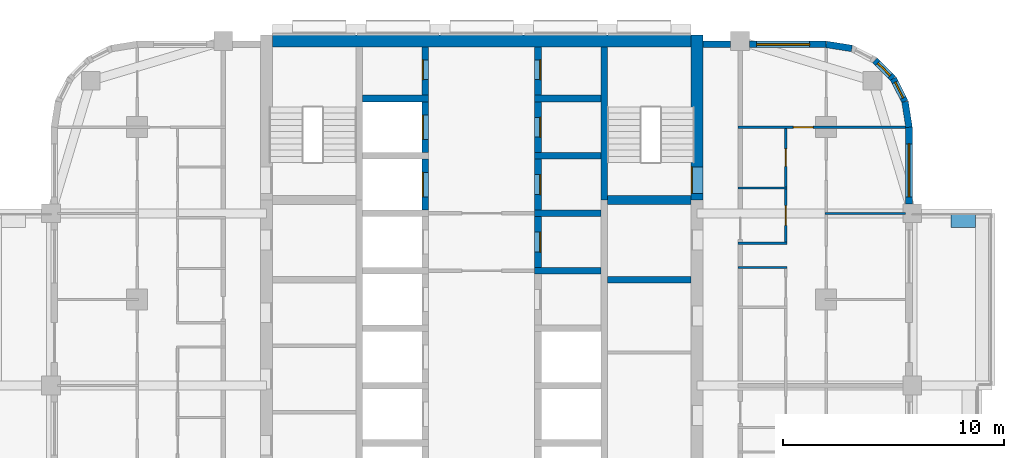
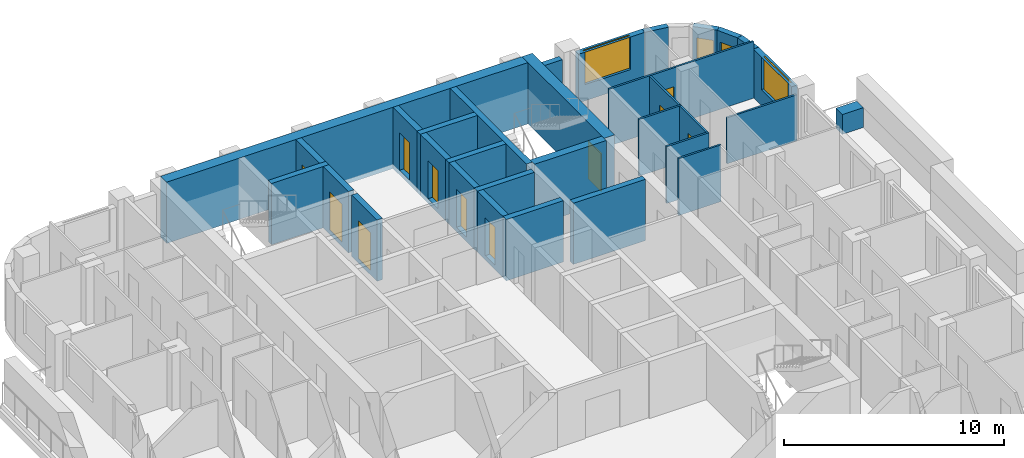
# One storey, part 9 of 14: 31 walls, 11 doors, 4 windows, 15 openings.
"""IFC4 building model written with IfcOpenShell, lengths in metres."""

from ifc_helpers import new_model, si_unit, direction, frame, frame_2d, origin, place, context, subcontext, project, spatial, rectangle, extrude, material, layer, layer_set, type_object, element, fill, save


model = new_model("IFC4")

# Units and contexts
model_context = context("Model", 3, precision=1e-05, world=origin(), true_north=direction((0.0, 1.0)))
body_context = subcontext(model_context, "Body", "Model", "MODEL_VIEW")
ifc_project = project(units=[si_unit("LENGTHUNIT", "METRE"), si_unit("AREAUNIT", "SQUARE_METRE"), si_unit("VOLUMEUNIT", "CUBIC_METRE"), si_unit("PLANEANGLEUNIT", "RADIAN"), si_unit("MASSUNIT", "GRAM", prefix="KILO")], contexts=[model_context])

# Site, building, storey
site_placement = place(None, origin())
site = spatial("IfcSite", under=ifc_project, at=site_placement, CompositionType="ELEMENT")
building_placement = place(site_placement, origin())
building = spatial("IfcBuilding", under=site, at=building_placement, Name="Ludao Terraces", CompositionType="ELEMENT")
storey_placement = place(building_placement, frame((0.0, 0.0, 106.699951171875)))
storey = spatial("IfcBuildingStorey", under=building, at=storey_placement, Name="L29", CompositionType="ELEMENT", Elevation=106.699951171875)

# Wall, opening, door
ifc_material_1 = material(Name="Concrete C60", Category="concrete")
ifc_layer_1 = layer(ifc_material_1, 0.550048828125)
ifc_layer_set_1 = layer_set([ifc_layer_1], Name="Core wall 550 C60")
wall_type_1 = type_object("IfcWallType", Name="Core wall 550 C60", PredefinedType="SOLIDWALL", material=ifc_layer_set_1)
wall_1_placement = place(storey_placement, frame((94.75, 77.300048828125, -0.25), z_axis=(0.0, 0.0, 1.0), x_axis=(0.0, 1.0, 0.0)))
wall_1 = element("IfcWall", 1, at=wall_1_placement, inside=storey, type_object=wall_type_1, Name="Core wall L29 outer-E-S2", PredefinedType="SOLIDWALL", context=body_context, shape_type="SweptSolid", body=[
    extrude(rectangle(XDim=7.474853515625, YDim=0.550048828125, at=frame_2d((3.7373046875, 0.0))), origin(), (0.0, 0.0, 1.0), 3.400146484375),
])
opening_1_placement = place(wall_1_placement, frame((0.300048828125, 0.0, 0.25)))
opening_1 = element("IfcOpeningElement", 2, at=opening_1_placement, cuts=wall_1, Name="Opening R08-089", PredefinedType="OPENING", context=body_context, shape_type="SweptSolid", body=[
    extrude(rectangle(XDim=1.199951171875, YDim=2.10009765625, at=frame_2d((0.60009765625, 1.050048828125))), frame((0.0, 0.28515625, 0.0), z_axis=(0.0, -1.0, 0.0), x_axis=(1.0, 0.0, 0.0)), (0.0, 0.0, 1.0), 0.570068359375),
])
ifc_material_2 = material(Name="Steel Q235", Category="steel")
door_type_1 = type_object("IfcDoorType", Name="INT Stair door 1200", OperationType="DOUBLE_DOOR_SINGLE_SWING", PredefinedType="DOOR", material=ifc_material_2)
door_1_placement = place(opening_1_placement, origin())
door_1 = element("IfcDoor", 3, at=door_1_placement, inside=storey, type_object=door_type_1, Name="DOOR 089", OperationType="DOUBLE_DOOR_SINGLE_SWING", OverallHeight=2.10009765625, OverallWidth=1.199951171875, PredefinedType="DOOR", context=body_context, shape_type="SweptSolid", body=[
    extrude(rectangle(XDim=1.199951171875, YDim=2.10009765625, at=frame_2d((0.60009765625, 1.050048828125))), frame((0.0, 0.26025390625, 0.0), z_axis=(0.0, -1.0, 0.0), x_axis=(1.0, 0.0, 0.0)), (0.0, 0.0, 1.0), 0.050048828125),
])
fill(opening_1, door_1)

# Walls
wall_2_placement = place(storey_placement, frame((75.52490234375, 84.5, -0.25), z_axis=(0.0, 0.0, 1.0), x_axis=(1.0, 0.0, 0.0)))
element("IfcWall", 4, at=wall_2_placement, inside=storey, type_object=wall_type_1, Name="Core wall L29 outer-N", PredefinedType="SOLIDWALL", context=body_context, shape_type="SweptSolid", body=[
    extrude(rectangle(XDim=18.9501953125, YDim=0.550048828125, at=frame_2d((9.47509765625, 0.0))), origin(), (0.0, 0.0, 1.0), 3.400146484375),
])
ifc_material_3 = material(Name="Concrete C40", Category="concrete")
ifc_layer_2 = layer(ifc_material_3, 0.60009765625)
ifc_layer_set_2 = layer_set([ifc_layer_2], Name="ENV Planter trough 600")
wall_type_2 = type_object("IfcWallType", Name="ENV Planter trough 600", PredefinedType="USERDEFINED", material=ifc_layer_set_2)
wall_3_placement = place(storey_placement, frame((107.35009765625, 76.35009765625, 0.0), z_axis=(0.0, 0.0, 1.0), x_axis=(-1.0, 0.0, 0.0)))
element("IfcWall", 5, at=wall_3_placement, inside=storey, type_object=wall_type_2, Name="PL-L29-E3-SB", ObjectType="PLANTER", PredefinedType="USERDEFINED", context=body_context, shape_type="SweptSolid", body=[
    extrude(rectangle(XDim=1.10009765625, YDim=0.60009765625, at=frame_2d((0.550048828125, 0.0))), origin(), (0.0, 0.0, 1.0), 1.10009765625),
])

# Wall, opening, window
ifc_material_4 = material(Name="Granite cladding", Category="masonry")
ifc_layer_3 = layer(ifc_material_4, 0.0400390625, Category="stone")
ifc_material_5 = material(Name="Mineral wool")
ifc_layer_4 = layer(ifc_material_5, 0.06005859375)
ifc_layer_5 = layer(ifc_material_3, 0.199951171875, Category="concrete")
ifc_layer_set_3 = layer_set([ifc_layer_3, ifc_layer_4, ifc_layer_5], Name="ENV Stone-clad wall 300")
wall_type_3 = type_object("IfcWallType", Name="ENV Stone-clad wall 300", PredefinedType="SOLIDWALL", material=ifc_layer_set_3)
wall_4_placement = place(storey_placement, frame((104.35009765625, 77.125, 0.0), z_axis=(0.0, 0.0, 1.0), x_axis=(0.0, 1.0, 0.0)))
wall_4 = element("IfcWall", 6, at=wall_4_placement, inside=storey, type_object=wall_type_3, Name="EW-L29-E5", PredefinedType="SOLIDWALL", context=body_context, shape_type="SweptSolid", body=[
    extrude(rectangle(XDim=3.47509765625, YDim=0.300048828125, at=frame_2d((1.737548828125, 0.0))), origin(), (0.0, 0.0, 1.0), 2.699951171875),
])
opening_2_placement = place(wall_4_placement, frame((0.324951171875, 0.0, 0.89990234375)))
opening_2 = element("IfcOpeningElement", 7, at=opening_2_placement, cuts=wall_4, Name="Opening W1", PredefinedType="OPENING", context=body_context, shape_type="SweptSolid", body=[
    extrude(rectangle(XDim=2.39990234375, YDim=1.800048828125, at=frame_2d((1.199951171875, 0.89990234375))), frame((0.0, 0.16015625, 0.0), z_axis=(0.0, -1.0, 0.0), x_axis=(1.0, 0.0, 0.0)), (0.0, 0.0, 1.0), 0.320068359375),
])
ifc_material_6 = material(Name="Clear glass in aluminium frame", Category="aluminium")
ifc_layer_6 = layer(ifc_material_6, 0.06005859375)
ifc_layer_set_4 = layer_set([ifc_layer_6], Name="ENV Window W1 2400x1800")
window_type_1 = type_object("IfcWindowType", Name="ENV Window W1 2400x1800", PartitioningType="DOUBLE_PANEL_VERTICAL", PredefinedType="WINDOW", material=ifc_layer_set_4)
window_1_placement = place(opening_2_placement, origin())
window_1 = element("IfcWindow", 8, at=window_1_placement, inside=storey, type_object=window_type_1, Name="W-L29-E5-1", OverallHeight=1.800048828125, OverallWidth=2.39990234375, PartitioningType="DOUBLE_PANEL_VERTICAL", PredefinedType="WINDOW", context=body_context, shape_type="SweptSolid", body=[
    extrude(rectangle(XDim=2.39990234375, YDim=1.800048828125, at=frame_2d((1.199951171875, 0.89990234375))), frame((0.0, 0.030029296875, 0.0), z_axis=(0.0, -1.0, 0.0), x_axis=(1.0, 0.0, 0.0)), (0.0, 0.0, 1.0), 0.06005859375),
])
fill(opening_2, window_1)

# Wall
wall_5_placement = place(storey_placement, frame((95.02490234375, 84.35009765625, 0.0), z_axis=(0.0, 0.0, 1.0), x_axis=(1.0, 0.0, 0.0)))
element("IfcWall", 9, at=wall_5_placement, inside=storey, type_object=wall_type_3, Name="EW-L29-N3", PredefinedType="SOLIDWALL", context=body_context, shape_type="SweptSolid", body=[
    extrude(rectangle(XDim=1.25, YDim=0.300048828125, at=frame_2d((0.625, 0.0))), origin(), (0.0, 0.0, 1.0), 2.699951171875),
])

# Wall, opening, window
wall_6_placement = place(storey_placement, frame((97.125, 84.35009765625, 0.0), z_axis=(0.0, 0.0, 1.0), x_axis=(1.0, 0.0, 0.0)))
wall_6 = element("IfcWall", 10, at=wall_6_placement, inside=storey, type_object=wall_type_3, Name="EW-L29-N4", PredefinedType="SOLIDWALL", context=body_context, shape_type="SweptSolid", body=[
    extrude(rectangle(XDim=3.47509765625, YDim=0.300048828125, at=frame_2d((1.737548828125, 0.0))), origin(), (0.0, 0.0, 1.0), 2.699951171875),
])
opening_3_placement = place(wall_6_placement, frame((0.324951171875, 0.0, 0.89990234375)))
opening_3 = element("IfcOpeningElement", 11, at=opening_3_placement, cuts=wall_6, Name="Opening W1", PredefinedType="OPENING", context=body_context, shape_type="SweptSolid", body=[
    extrude(rectangle(XDim=2.39990234375, YDim=1.800048828125, at=frame_2d((1.199951171875, 0.89990234375))), frame((0.0, 0.16015625, 0.0), z_axis=(0.0, -1.0, 0.0), x_axis=(1.0, 0.0, 0.0)), (0.0, 0.0, 1.0), 0.320068359375),
])
window_2_placement = place(opening_3_placement, origin())
window_2 = element("IfcWindow", 12, at=window_2_placement, inside=storey, type_object=window_type_1, Name="W-L29-N4-1", OverallHeight=1.800048828125, OverallWidth=2.39990234375, PartitioningType="DOUBLE_PANEL_VERTICAL", PredefinedType="WINDOW", context=body_context, shape_type="SweptSolid", body=[
    extrude(rectangle(XDim=2.39990234375, YDim=1.800048828125, at=frame_2d((1.199951171875, 0.89990234375))), frame((0.0, 0.030029296875, 0.0), z_axis=(0.0, -1.0, 0.0), x_axis=(1.0, 0.0, 0.0)), (0.0, 0.0, 1.0), 0.06005859375),
])
fill(opening_3, window_2)

# Wall
wall_7_placement = place(storey_placement, frame((104.35009765625, 80.60009765625, 0.0), z_axis=(0.0, 0.0, 1.0), x_axis=(-0.156496880861, 0.987678452879, 0.0)))
element("IfcWall", 13, at=wall_7_placement, inside=storey, type_object=wall_type_3, Name="EW-L29-NE1", PredefinedType="SOLIDWALL", context=body_context, shape_type="SweptSolid", body=[
    extrude(rectangle(XDim=1.173095703125, YDim=0.300048828125, at=frame_2d((0.58642578125, 0.0))), origin(), (0.0, 0.0, 1.0), 2.699951171875),
])

# Wall, opening, window
wall_8_placement = place(storey_placement, frame((104.16650390625, 81.7587890625, 0.0), z_axis=(0.0, 0.0, 1.0), x_axis=(-0.454025524128, 0.890988677504, 0.0)))
wall_8 = element("IfcWall", 14, at=wall_8_placement, inside=storey, type_object=wall_type_3, Name="EW-L29-NE2", PredefinedType="SOLIDWALL", context=body_context, shape_type="SweptSolid", body=[
    extrude(rectangle(XDim=1.17333984375, YDim=0.300048828125, at=frame_2d((0.586669921875, 0.0))), origin(), (0.0, 0.0, 1.0), 2.699951171875),
])
opening_4_placement = place(wall_8_placement, frame((0.1865234375, 0.0, 0.89990234375)))
opening_4 = element("IfcOpeningElement", 15, at=opening_4_placement, cuts=wall_8, Name="Opening W3", PredefinedType="OPENING", context=body_context, shape_type="SweptSolid", body=[
    extrude(rectangle(XDim=0.800048828125, YDim=1.199951171875, at=frame_2d((0.39990234375, 0.60009765625))), frame((0.0, 0.16015625, 0.0), z_axis=(0.0, -1.0, 0.0), x_axis=(1.0, 0.0, 0.0)), (0.0, 0.0, 1.0), 0.320068359375),
])
ifc_layer_7 = layer(ifc_material_6, 0.06005859375)
ifc_layer_set_5 = layer_set([ifc_layer_7], Name="ENV Window W3 800x1200")
window_type_2 = type_object("IfcWindowType", Name="ENV Window W3 800x1200", PartitioningType="SINGLE_PANEL", PredefinedType="WINDOW", material=ifc_layer_set_5)
window_3_placement = place(opening_4_placement, origin())
window_3 = element("IfcWindow", 16, at=window_3_placement, inside=storey, type_object=window_type_2, Name="W-L29-NE2", OverallHeight=1.199951171875, OverallWidth=0.800048828125, PartitioningType="SINGLE_PANEL", PredefinedType="WINDOW", context=body_context, shape_type="SweptSolid", body=[
    extrude(rectangle(XDim=0.800048828125, YDim=1.199951171875, at=frame_2d((0.39990234375, 0.60009765625))), frame((0.0, 0.030029296875, 0.0), z_axis=(0.0, -1.0, 0.0), x_axis=(1.0, 0.0, 0.0)), (0.0, 0.0, 1.0), 0.06005859375),
])
fill(opening_4, window_3)

wall_9_placement = place(storey_placement, frame((103.6337890625, 82.80419921875, 0.0), z_axis=(0.0, 0.0, 1.0), x_axis=(-0.707106781187, 0.707106781187, 0.0)))
wall_9 = element("IfcWall", 17, at=wall_9_placement, inside=storey, type_object=wall_type_3, Name="EW-L29-NE3", PredefinedType="SOLIDWALL", context=body_context, shape_type="SweptSolid", body=[
    extrude(rectangle(XDim=1.173095703125, YDim=0.300048828125, at=frame_2d((0.58642578125, 0.0))), origin(), (0.0, 0.0, 1.0), 2.699951171875),
])
opening_5_placement = place(wall_9_placement, frame((0.1865234375, 0.0, 0.89990234375)))
opening_5 = element("IfcOpeningElement", 18, at=opening_5_placement, cuts=wall_9, Name="Opening W3", PredefinedType="OPENING", context=body_context, shape_type="SweptSolid", body=[
    extrude(rectangle(XDim=0.800048828125, YDim=1.199951171875, at=frame_2d((0.39990234375, 0.60009765625))), frame((0.0, 0.16015625, 0.0), z_axis=(0.0, -1.0, 0.0), x_axis=(1.0, 0.0, 0.0)), (0.0, 0.0, 1.0), 0.320068359375),
])
window_4_placement = place(opening_5_placement, origin())
window_4 = element("IfcWindow", 19, at=window_4_placement, inside=storey, type_object=window_type_2, Name="W-L29-NE3", OverallHeight=1.199951171875, OverallWidth=0.800048828125, PartitioningType="SINGLE_PANEL", PredefinedType="WINDOW", context=body_context, shape_type="SweptSolid", body=[
    extrude(rectangle(XDim=0.800048828125, YDim=1.199951171875, at=frame_2d((0.39990234375, 0.60009765625))), frame((0.0, 0.030029296875, 0.0), z_axis=(0.0, -1.0, 0.0), x_axis=(1.0, 0.0, 0.0)), (0.0, 0.0, 1.0), 0.06005859375),
])
fill(opening_5, window_4)

# Walls
wall_10_placement = place(storey_placement, frame((101.7587890625, 84.16650390625, 0.0), z_axis=(0.0, 0.0, 1.0), x_axis=(-0.987678452879, 0.156496880861, 0.0)))
element("IfcWall", 20, at=wall_10_placement, inside=storey, type_object=wall_type_3, Name="EW-L29-NE5", PredefinedType="SOLIDWALL", context=body_context, shape_type="SweptSolid", body=[
    extrude(rectangle(XDim=1.173095703125, YDim=0.300048828125, at=frame_2d((0.58642578125, 0.0))), origin(), (0.0, 0.0, 1.0), 2.699951171875),
])
ifc_material_7 = material(Name="Gypsum plasterboard", Category="gypsum")
ifc_layer_8 = layer(ifc_material_7, 0.012451171875, Category="gypsum")
ifc_layer_9 = layer(ifc_material_5, 0.06005859375, Name="insulation")
ifc_layer_10 = layer(ifc_material_2, 0.014892578125, Name="stud")
ifc_layer_11 = layer(ifc_material_7, 0.012451171875, Category="gypsum")
ifc_layer_set_6 = layer_set([ifc_layer_8, ifc_layer_9, ifc_layer_10, ifc_layer_11], Name="INT Partition 100")
wall_type_4 = type_object("IfcWallType", Name="INT Partition 100", PredefinedType="PARTITIONING", material=ifc_layer_set_6)
for number, where, z_axis, x_axis, name in (
    (21, (96.60009765625, 74.25, 0.0), (0.0, 0.0, 1.0), (1.0, 0.0, 0.0), "PW-L29-PW040"),
    (22, (96.60009765625, 75.35009765625, 0.0), (0.0, 0.0, 1.0), (1.0, 0.0, 0.0), "PW-L29-PW041"),
):
    element("IfcWall", number, at=place(storey_placement, frame(where, z_axis=z_axis, x_axis=x_axis)), inside=storey, type_object=wall_type_4, Name=name, PredefinedType="PARTITIONING", context=body_context, shape_type="SweptSolid", body=[
        extrude(rectangle(XDim=2.219970703125, YDim=0.10009765625, at=frame_2d((1.10986328125, 0.0))), origin(), (0.0, 0.0, 1.0), 3.150146484375),
    ])
wall_11_placement = place(storey_placement, frame((100.550048828125, 76.699951171875, 0.0), z_axis=(0.0, 0.0, 1.0), x_axis=(1.0, 0.0, 0.0)))
element("IfcWall", 23, at=wall_11_placement, inside=storey, type_object=wall_type_4, Name="PW-L29-PW045", PredefinedType="PARTITIONING", context=body_context, shape_type="SweptSolid", body=[
    extrude(rectangle(XDim=3.650146484375, YDim=0.10009765625, at=frame_2d((1.8251953125, 0.0))), origin(), (0.0, 0.0, 1.0), 2.550048828125),
])
wall_12_placement = place(storey_placement, frame((96.60009765625, 77.85009765625, 0.0), z_axis=(0.0, 0.0, 1.0), x_axis=(1.0, 0.0, 0.0)))
element("IfcWall", 24, at=wall_12_placement, inside=storey, type_object=wall_type_4, Name="PW-L29-PW046", PredefinedType="PARTITIONING", context=body_context, shape_type="SweptSolid", body=[
    extrude(rectangle(XDim=2.219970703125, YDim=0.10009765625, at=frame_2d((1.10986328125, 0.0))), origin(), (0.0, 0.0, 1.0), 3.150146484375),
])

# Wall, opening, door
wall_13_placement = place(storey_placement, frame((96.60009765625, 80.60009765625, 0.0), z_axis=(0.0, 0.0, 1.0), x_axis=(1.0, 0.0, 0.0)))
wall_13 = element("IfcWall", 25, at=wall_13_placement, inside=storey, type_object=wall_type_4, Name="PW-L29-PW049", PredefinedType="PARTITIONING", context=body_context, shape_type="SweptSolid", body=[
    extrude(rectangle(XDim=7.60009765625, YDim=0.10009765625, at=frame_2d((3.800048828125, 0.0))), origin(), (0.0, 0.0, 1.0), 3.150146484375),
])
opening_6_placement = place(wall_13_placement, frame((2.510009765625, 0.0, 0.0)))
opening_6 = element("IfcOpeningElement", 26, at=opening_6_placement, cuts=wall_13, Name="Opening R08-097", PredefinedType="OPENING", context=body_context, shape_type="SweptSolid", body=[
    extrude(rectangle(XDim=0.89990234375, YDim=2.10009765625, at=frame_2d((0.449951171875, 1.050048828125))), frame((0.0, 0.06005859375, 0.0), z_axis=(0.0, -1.0, 0.0), x_axis=(1.0, 0.0, 0.0)), (0.0, 0.0, 1.0), 0.1201171875),
])
ifc_material_8 = material(Name="Timber door leaf", Category="wood")
door_type_2 = type_object("IfcDoorType", Name="INT Room door 900", OperationType="SINGLE_SWING_LEFT", PredefinedType="DOOR", material=ifc_material_8)
door_2_placement = place(opening_6_placement, origin())
door_2 = element("IfcDoor", 27, at=door_2_placement, inside=storey, type_object=door_type_2, Name="DOOR 097", OperationType="SINGLE_SWING_RIGHT", OverallHeight=2.10009765625, OverallWidth=0.89990234375, PredefinedType="DOOR", context=body_context, shape_type="SweptSolid", body=[
    extrude(rectangle(XDim=0.89990234375, YDim=2.10009765625, at=frame_2d((0.449951171875, 1.050048828125))), frame((0.0, 0.02490234375, 0.0), z_axis=(0.0, -1.0, 0.0), x_axis=(1.0, 0.0, 0.0)), (0.0, 0.0, 1.0), 0.050048828125),
])
fill(opening_6, door_2)

# Wall, openings, doors
wall_14_placement = place(storey_placement, frame((98.77001953125, 75.400146484375, 0.0), z_axis=(0.0, 0.0, 1.0), x_axis=(0.0, 1.0, 0.0)))
wall_14 = element("IfcWall", 28, at=wall_14_placement, inside=storey, type_object=wall_type_4, Name="PW-L29-PW076", PredefinedType="PARTITIONING", context=body_context, shape_type="SweptSolid", body=[
    extrude(rectangle(XDim=5.14990234375, YDim=0.10009765625, at=frame_2d((2.574951171875, 0.0))), origin(), (0.0, 0.0, 1.0), 3.150146484375),
])
opening_7_placement = place(wall_14_placement, frame((0.75, 0.0, 0.0)))
opening_7 = element("IfcOpeningElement", 29, at=opening_7_placement, cuts=wall_14, Name="Opening R08-083", PredefinedType="OPENING", context=body_context, shape_type="SweptSolid", body=[
    extrude(rectangle(XDim=0.89990234375, YDim=2.10009765625, at=frame_2d((0.449951171875, 1.050048828125))), frame((0.0, 0.06005859375, 0.0), z_axis=(0.0, -1.0, 0.0), x_axis=(1.0, 0.0, 0.0)), (0.0, 0.0, 1.0), 0.1201171875),
])
opening_8_placement = place(wall_14_placement, frame((3.425048828125, 0.0, 0.0)))
opening_8 = element("IfcOpeningElement", 30, at=opening_8_placement, cuts=wall_14, Name="Opening R08-092", PredefinedType="OPENING", context=body_context, shape_type="SweptSolid", body=[
    extrude(rectangle(XDim=0.800048828125, YDim=2.10009765625, at=frame_2d((0.39990234375, 1.050048828125))), frame((0.0, 0.06005859375, 0.0), z_axis=(0.0, -1.0, 0.0), x_axis=(1.0, 0.0, 0.0)), (0.0, 0.0, 1.0), 0.1201171875),
])
door_type_3 = type_object("IfcDoorType", Name="INT Bathroom door 900", OperationType="SINGLE_SWING_LEFT", PredefinedType="DOOR", material=ifc_material_8)
door_3_placement = place(opening_7_placement, origin())
door_3 = element("IfcDoor", 31, at=door_3_placement, inside=storey, type_object=door_type_3, Name="DOOR 083", OperationType="SINGLE_SWING_LEFT", OverallHeight=2.10009765625, OverallWidth=0.89990234375, PredefinedType="DOOR", context=body_context, shape_type="SweptSolid", body=[
    extrude(rectangle(XDim=0.89990234375, YDim=2.10009765625, at=frame_2d((0.449951171875, 1.050048828125))), frame((0.0, 0.02490234375, 0.0), z_axis=(0.0, -1.0, 0.0), x_axis=(1.0, 0.0, 0.0)), (0.0, 0.0, 1.0), 0.050048828125),
])
fill(opening_7, door_3)
door_type_4 = type_object("IfcDoorType", Name="INT Store door 800", OperationType="SINGLE_SWING_LEFT", PredefinedType="DOOR", material=ifc_material_8)
door_4_placement = place(opening_8_placement, origin())
door_4 = element("IfcDoor", 32, at=door_4_placement, inside=storey, type_object=door_type_4, Name="DOOR 092", OperationType="SINGLE_SWING_RIGHT", OverallHeight=2.10009765625, OverallWidth=0.800048828125, PredefinedType="DOOR", context=body_context, shape_type="SweptSolid", body=[
    extrude(rectangle(XDim=0.800048828125, YDim=2.10009765625, at=frame_2d((0.39990234375, 1.050048828125))), frame((0.0, 0.02490234375, 0.0), z_axis=(0.0, -1.0, 0.0), x_axis=(1.0, 0.0, 0.0)), (0.0, 0.0, 1.0), 0.050048828125),
])
fill(opening_8, door_4)

# Wall
ifc_material_9 = material(Name="Concrete C55", Category="concrete")
ifc_layer_12 = layer(ifc_material_9, 0.300048828125)
ifc_layer_set_7 = layer_set([ifc_layer_12], Name="Shaft wall 300 C55")
wall_type_5 = type_object("IfcWallType", Name="Shaft wall 300 C55", PredefinedType="SOLIDWALL", material=ifc_layer_set_7)
wall_15_placement = place(storey_placement, frame((90.550048828125, 77.300048828125, -0.25), z_axis=(0.0, 0.0, 1.0), x_axis=(0.0, 1.0, 0.0)))
element("IfcWall", 33, at=wall_15_placement, inside=storey, type_object=wall_type_5, Name="Core wall L29 back-E-S2", PredefinedType="SOLIDWALL", context=body_context, shape_type="SweptSolid", body=[
    extrude(rectangle(XDim=6.925048828125, YDim=0.300048828125, at=frame_2d((3.46240234375, 0.0))), origin(), (0.0, 0.0, 1.0), 3.400146484375),
])

# Wall, opening, door
wall_16_placement = place(storey_placement, frame((82.449951171875, 76.85009765625, -0.25), z_axis=(0.0, 0.0, 1.0), x_axis=(0.0, 1.0, 0.0)))
wall_16 = element("IfcWall", 34, at=wall_16_placement, inside=storey, type_object=wall_type_5, Name="Core wall L29 front-W7", PredefinedType="SOLIDWALL", context=body_context, shape_type="SweptSolid", body=[
    extrude(rectangle(XDim=2.2998046875, YDim=0.300048828125, at=frame_2d((1.14990234375, 0.0))), origin(), (0.0, 0.0, 1.0), 3.400146484375),
])
opening_9_placement = place(wall_16_placement, frame((0.60009765625, 0.0, 0.25)))
opening_9 = element("IfcOpeningElement", 35, at=opening_9_placement, cuts=wall_16, Name="Opening LD-FF1", PredefinedType="OPENING", context=body_context, shape_type="SweptSolid", body=[
    extrude(rectangle(XDim=1.10009765625, YDim=2.10009765625, at=frame_2d((0.550048828125, 1.050048828125))), frame((0.0, 0.16015625, 0.0), z_axis=(0.0, -1.0, 0.0), x_axis=(1.0, 0.0, 0.0)), (0.0, 0.0, 1.0), 0.320068359375),
])
ifc_material_10 = material(Name="Stainless steel 304", Category="steel")
door_type_5 = type_object("IfcDoorType", Name="INT Lift landing door 1100", OperationType="SLIDING_TO_LEFT", PredefinedType="DOOR", material=ifc_material_10)
door_5_placement = place(opening_9_placement, origin())
door_5 = element("IfcDoor", 36, at=door_5_placement, inside=storey, type_object=door_type_5, Name="LANDING DOOR FF1 L29", OperationType="SLIDING_TO_LEFT", OverallHeight=2.10009765625, OverallWidth=1.10009765625, PredefinedType="DOOR", context=body_context, shape_type="SweptSolid", body=[
    extrude(rectangle(XDim=1.10009765625, YDim=2.10009765625, at=frame_2d((0.550048828125, 1.050048828125))), frame((0.0, 0.13525390625, 0.0), z_axis=(0.0, -1.0, 0.0), x_axis=(1.0, 0.0, 0.0)), (0.0, 0.0, 1.0), 0.050048828125),
])
fill(opening_9, door_5)

wall_17_placement = place(storey_placement, frame((82.449951171875, 79.449951171875, -0.25), z_axis=(0.0, 0.0, 1.0), x_axis=(0.0, 1.0, 0.0)))
wall_17 = element("IfcWall", 37, at=wall_17_placement, inside=storey, type_object=wall_type_5, Name="Core wall L29 front-W8", PredefinedType="SOLIDWALL", context=body_context, shape_type="SweptSolid", body=[
    extrude(rectangle(XDim=2.300048828125, YDim=0.300048828125, at=frame_2d((1.14990234375, 0.0))), origin(), (0.0, 0.0, 1.0), 3.400146484375),
])
opening_10_placement = place(wall_17_placement, frame((0.60009765625, 0.0, 0.25)))
opening_10 = element("IfcOpeningElement", 38, at=opening_10_placement, cuts=wall_17, Name="Opening LD-FF2", PredefinedType="OPENING", context=body_context, shape_type="SweptSolid", body=[
    extrude(rectangle(XDim=1.10009765625, YDim=2.10009765625, at=frame_2d((0.550048828125, 1.050048828125))), frame((0.0, 0.16015625, 0.0), z_axis=(0.0, -1.0, 0.0), x_axis=(1.0, 0.0, 0.0)), (0.0, 0.0, 1.0), 0.320068359375),
])
door_6_placement = place(opening_10_placement, origin())
door_6 = element("IfcDoor", 39, at=door_6_placement, inside=storey, type_object=door_type_5, Name="LANDING DOOR FF2 L29", OperationType="SLIDING_TO_LEFT", OverallHeight=2.10009765625, OverallWidth=1.10009765625, PredefinedType="DOOR", context=body_context, shape_type="SweptSolid", body=[
    extrude(rectangle(XDim=1.10009765625, YDim=2.10009765625, at=frame_2d((0.550048828125, 1.050048828125))), frame((0.0, 0.13525390625, 0.0), z_axis=(0.0, -1.0, 0.0), x_axis=(1.0, 0.0, 0.0)), (0.0, 0.0, 1.0), 0.050048828125),
])
fill(opening_10, door_6)

# Wall
wall_18_placement = place(storey_placement, frame((79.60009765625, 81.89990234375, -0.25), z_axis=(0.0, 0.0, 1.0), x_axis=(1.0, 0.0, 0.0)))
element("IfcWall", 40, at=wall_18_placement, inside=storey, type_object=wall_type_5, Name="Core wall L29 div-W9", PredefinedType="SOLIDWALL", context=body_context, shape_type="SweptSolid", body=[
    extrude(rectangle(XDim=3.0, YDim=0.300048828125, at=frame_2d((1.5, 0.0))), origin(), (0.0, 0.0, 1.0), 3.400146484375),
])

# Wall, opening, door
wall_19_placement = place(storey_placement, frame((82.449951171875, 82.050048828125, -0.25), z_axis=(0.0, 0.0, 1.0), x_axis=(0.0, 1.0, 0.0)))
wall_19 = element("IfcWall", 41, at=wall_19_placement, inside=storey, type_object=wall_type_5, Name="Core wall L29 front-W9", PredefinedType="SOLIDWALL", context=body_context, shape_type="SweptSolid", body=[
    extrude(rectangle(XDim=2.175048828125, YDim=0.300048828125, at=frame_2d((1.08740234375, 0.0))), origin(), (0.0, 0.0, 1.0), 3.400146484375),
])
opening_11_placement = place(wall_19_placement, frame((0.699951171875, 0.0, 0.25)))
opening_11 = element("IfcOpeningElement", 42, at=opening_11_placement, cuts=wall_19, Name="Opening R08-100", PredefinedType="OPENING", context=body_context, shape_type="SweptSolid", body=[
    extrude(rectangle(XDim=0.89990234375, YDim=2.10009765625, at=frame_2d((0.449951171875, 1.050048828125))), frame((0.0, 0.16015625, 0.0), z_axis=(0.0, -1.0, 0.0), x_axis=(1.0, 0.0, 0.0)), (0.0, 0.0, 1.0), 0.320068359375),
])
door_7_placement = place(opening_11_placement, origin())
door_7 = element("IfcDoor", 43, at=door_7_placement, inside=storey, type_object=door_type_2, Name="DOOR 100", OperationType="SINGLE_SWING_RIGHT", OverallHeight=2.10009765625, OverallWidth=0.89990234375, PredefinedType="DOOR", context=body_context, shape_type="SweptSolid", body=[
    extrude(rectangle(XDim=0.89990234375, YDim=2.10009765625, at=frame_2d((0.449951171875, 1.050048828125))), frame((0.0, 0.13525390625, 0.0), z_axis=(0.0, -1.0, 0.0), x_axis=(1.0, 0.0, 0.0)), (0.0, 0.0, 1.0), 0.050048828125),
])
fill(opening_11, door_7)

# Wall
wall_20_placement = place(storey_placement, frame((87.39990234375, 74.10009765625, -0.25), z_axis=(0.0, 0.0, 1.0), x_axis=(1.0, 0.0, 0.0)))
element("IfcWall", 44, at=wall_20_placement, inside=storey, type_object=wall_type_5, Name="Core wall L29 div-E6", PredefinedType="SOLIDWALL", context=body_context, shape_type="SweptSolid", body=[
    extrude(rectangle(XDim=3.0, YDim=0.300048828125, at=frame_2d((1.5, 0.0))), origin(), (0.0, 0.0, 1.0), 3.400146484375),
])

# Wall, opening, door
wall_21_placement = place(storey_placement, frame((87.550048828125, 74.25, -0.25), z_axis=(0.0, 0.0, 1.0), x_axis=(0.0, 1.0, 0.0)))
wall_21 = element("IfcWall", 45, at=wall_21_placement, inside=storey, type_object=wall_type_5, Name="Core wall L29 front-E6", PredefinedType="SOLIDWALL", context=body_context, shape_type="SweptSolid", body=[
    extrude(rectangle(XDim=2.300048828125, YDim=0.300048828125, at=frame_2d((1.14990234375, 0.0))), origin(), (0.0, 0.0, 1.0), 3.400146484375),
])
opening_12_placement = place(wall_21_placement, frame((0.699951171875, 0.0, 0.25)))
opening_12 = element("IfcOpeningElement", 46, at=opening_12_placement, cuts=wall_21, Name="Opening R08-079", PredefinedType="OPENING", context=body_context, shape_type="SweptSolid", body=[
    extrude(rectangle(XDim=0.89990234375, YDim=2.10009765625, at=frame_2d((0.449951171875, 1.050048828125))), frame((0.0, 0.16015625, 0.0), z_axis=(0.0, -1.0, 0.0), x_axis=(1.0, 0.0, 0.0)), (0.0, 0.0, 1.0), 0.320068359375),
])
door_8_placement = place(opening_12_placement, origin())
door_8 = element("IfcDoor", 47, at=door_8_placement, inside=storey, type_object=door_type_2, Name="DOOR 079", OperationType="SINGLE_SWING_LEFT", OverallHeight=2.10009765625, OverallWidth=0.89990234375, PredefinedType="DOOR", context=body_context, shape_type="SweptSolid", body=[
    extrude(rectangle(XDim=0.89990234375, YDim=2.10009765625, at=frame_2d((0.449951171875, 1.050048828125))), frame((0.0, -0.0849609375, 0.0), z_axis=(0.0, -1.0, 0.0), x_axis=(1.0, 0.0, 0.0)), (0.0, 0.0, 1.0), 0.050048828125),
])
fill(opening_12, door_8)

# Wall
wall_22_placement = place(storey_placement, frame((87.39990234375, 76.699951171875, -0.25), z_axis=(0.0, 0.0, 1.0), x_axis=(1.0, 0.0, 0.0)))
element("IfcWall", 48, at=wall_22_placement, inside=storey, type_object=wall_type_5, Name="Core wall L29 div-E7", PredefinedType="SOLIDWALL", context=body_context, shape_type="SweptSolid", body=[
    extrude(rectangle(XDim=3.0, YDim=0.300048828125, at=frame_2d((1.5, 0.0))), origin(), (0.0, 0.0, 1.0), 3.400146484375),
])

# Wall, opening, door
wall_23_placement = place(storey_placement, frame((87.550048828125, 76.85009765625, -0.25), z_axis=(0.0, 0.0, 1.0), x_axis=(0.0, 1.0, 0.0)))
wall_23 = element("IfcWall", 49, at=wall_23_placement, inside=storey, type_object=wall_type_5, Name="Core wall L29 front-E7", PredefinedType="SOLIDWALL", context=body_context, shape_type="SweptSolid", body=[
    extrude(rectangle(XDim=2.2998046875, YDim=0.300048828125, at=frame_2d((1.14990234375, 0.0))), origin(), (0.0, 0.0, 1.0), 3.400146484375),
])
opening_13_placement = place(wall_23_placement, frame((0.699951171875, 0.0, 0.25)))
opening_13 = element("IfcOpeningElement", 50, at=opening_13_placement, cuts=wall_23, Name="Opening R08-087", PredefinedType="OPENING", context=body_context, shape_type="SweptSolid", body=[
    extrude(rectangle(XDim=0.89990234375, YDim=2.10009765625, at=frame_2d((0.449951171875, 1.050048828125))), frame((0.0, 0.16015625, 0.0), z_axis=(0.0, -1.0, 0.0), x_axis=(1.0, 0.0, 0.0)), (0.0, 0.0, 1.0), 0.320068359375),
])
door_9_placement = place(opening_13_placement, origin())
door_9 = element("IfcDoor", 51, at=door_9_placement, inside=storey, type_object=door_type_2, Name="DOOR 087", OperationType="SINGLE_SWING_RIGHT", OverallHeight=2.10009765625, OverallWidth=0.89990234375, PredefinedType="DOOR", context=body_context, shape_type="SweptSolid", body=[
    extrude(rectangle(XDim=0.89990234375, YDim=2.10009765625, at=frame_2d((0.449951171875, 1.050048828125))), frame((0.0, -0.0849609375, 0.0), z_axis=(0.0, -1.0, 0.0), x_axis=(1.0, 0.0, 0.0)), (0.0, 0.0, 1.0), 0.050048828125),
])
fill(opening_13, door_9)

# Wall
wall_24_placement = place(storey_placement, frame((87.39990234375, 79.300048828125, -0.25), z_axis=(0.0, 0.0, 1.0), x_axis=(1.0, 0.0, 0.0)))
element("IfcWall", 52, at=wall_24_placement, inside=storey, type_object=wall_type_5, Name="Core wall L29 div-E8", PredefinedType="SOLIDWALL", context=body_context, shape_type="SweptSolid", body=[
    extrude(rectangle(XDim=3.0, YDim=0.300048828125, at=frame_2d((1.5, 0.0))), origin(), (0.0, 0.0, 1.0), 3.400146484375),
])

# Wall, opening, door
wall_25_placement = place(storey_placement, frame((87.550048828125, 79.449951171875, -0.25), z_axis=(0.0, 0.0, 1.0), x_axis=(0.0, 1.0, 0.0)))
wall_25 = element("IfcWall", 53, at=wall_25_placement, inside=storey, type_object=wall_type_5, Name="Core wall L29 front-E8", PredefinedType="SOLIDWALL", context=body_context, shape_type="SweptSolid", body=[
    extrude(rectangle(XDim=2.300048828125, YDim=0.300048828125, at=frame_2d((1.14990234375, 0.0))), origin(), (0.0, 0.0, 1.0), 3.400146484375),
])
opening_14_placement = place(wall_25_placement, frame((0.699951171875, 0.0, 0.25)))
opening_14 = element("IfcOpeningElement", 54, at=opening_14_placement, cuts=wall_25, Name="Opening R08-096", PredefinedType="OPENING", context=body_context, shape_type="SweptSolid", body=[
    extrude(rectangle(XDim=0.89990234375, YDim=2.10009765625, at=frame_2d((0.449951171875, 1.050048828125))), frame((0.0, 0.16015625, 0.0), z_axis=(0.0, -1.0, 0.0), x_axis=(1.0, 0.0, 0.0)), (0.0, 0.0, 1.0), 0.320068359375),
])
door_10_placement = place(opening_14_placement, origin())
door_10 = element("IfcDoor", 55, at=door_10_placement, inside=storey, type_object=door_type_2, Name="DOOR 096", OperationType="SINGLE_SWING_RIGHT", OverallHeight=2.10009765625, OverallWidth=0.89990234375, PredefinedType="DOOR", context=body_context, shape_type="SweptSolid", body=[
    extrude(rectangle(XDim=0.89990234375, YDim=2.10009765625, at=frame_2d((0.449951171875, 1.050048828125))), frame((0.0, -0.0849609375, 0.0), z_axis=(0.0, -1.0, 0.0), x_axis=(1.0, 0.0, 0.0)), (0.0, 0.0, 1.0), 0.050048828125),
])
fill(opening_14, door_10)

# Wall
wall_26_placement = place(storey_placement, frame((87.39990234375, 81.89990234375, -0.25), z_axis=(0.0, 0.0, 1.0), x_axis=(1.0, 0.0, 0.0)))
element("IfcWall", 56, at=wall_26_placement, inside=storey, type_object=wall_type_5, Name="Core wall L29 div-E9", PredefinedType="SOLIDWALL", context=body_context, shape_type="SweptSolid", body=[
    extrude(rectangle(XDim=3.0, YDim=0.300048828125, at=frame_2d((1.5, 0.0))), origin(), (0.0, 0.0, 1.0), 3.400146484375),
])

# Wall, opening, door
wall_27_placement = place(storey_placement, frame((87.550048828125, 82.050048828125, -0.25), z_axis=(0.0, 0.0, 1.0), x_axis=(0.0, 1.0, 0.0)))
wall_27 = element("IfcWall", 57, at=wall_27_placement, inside=storey, type_object=wall_type_5, Name="Core wall L29 front-E9", PredefinedType="SOLIDWALL", context=body_context, shape_type="SweptSolid", body=[
    extrude(rectangle(XDim=2.175048828125, YDim=0.300048828125, at=frame_2d((1.08740234375, 0.0))), origin(), (0.0, 0.0, 1.0), 3.400146484375),
])
opening_15_placement = place(wall_27_placement, frame((0.699951171875, 0.0, 0.25)))
opening_15 = element("IfcOpeningElement", 58, at=opening_15_placement, cuts=wall_27, Name="Opening R08-101", PredefinedType="OPENING", context=body_context, shape_type="SweptSolid", body=[
    extrude(rectangle(XDim=0.89990234375, YDim=2.10009765625, at=frame_2d((0.449951171875, 1.050048828125))), frame((0.0, 0.16015625, 0.0), z_axis=(0.0, -1.0, 0.0), x_axis=(1.0, 0.0, 0.0)), (0.0, 0.0, 1.0), 0.320068359375),
])
door_11_placement = place(opening_15_placement, origin())
door_11 = element("IfcDoor", 59, at=door_11_placement, inside=storey, type_object=door_type_2, Name="DOOR 101", OperationType="SINGLE_SWING_LEFT", OverallHeight=2.10009765625, OverallWidth=0.89990234375, PredefinedType="DOOR", context=body_context, shape_type="SweptSolid", body=[
    extrude(rectangle(XDim=0.89990234375, YDim=2.10009765625, at=frame_2d((0.449951171875, 1.050048828125))), frame((0.0, -0.0849609375, 0.0), z_axis=(0.0, -1.0, 0.0), x_axis=(1.0, 0.0, 0.0)), (0.0, 0.0, 1.0), 0.050048828125),
])
fill(opening_15, door_11)

# Walls
wall_28_placement = place(storey_placement, frame((90.699951171875, 73.699951171875, -0.25), z_axis=(0.0, 0.0, 1.0), x_axis=(1.0, 0.0, 0.0)))
element("IfcWall", 60, at=wall_28_placement, inside=storey, type_object=wall_type_5, Name="Core wall L29 riser-b-E", PredefinedType="SOLIDWALL", context=body_context, shape_type="SweptSolid", body=[
    extrude(rectangle(XDim=3.775146484375, YDim=0.300048828125, at=frame_2d((1.8876953125, 0.0))), origin(), (0.0, 0.0, 1.0), 3.400146484375),
])
ifc_layer_13 = layer(ifc_material_9, 0.39990234375)
ifc_layer_set_8 = layer_set([ifc_layer_13], Name="Shaft wall 400 C55")
wall_type_6 = type_object("IfcWallType", Name="Shaft wall 400 C55", PredefinedType="SOLIDWALL", material=ifc_layer_set_8)
wall_29_placement = place(storey_placement, frame((90.699951171875, 77.300048828125, -0.25), z_axis=(0.0, 0.0, 1.0), x_axis=(1.0, 0.0, 0.0)))
element("IfcWall", 61, at=wall_29_placement, inside=storey, type_object=wall_type_6, Name="Core wall L29 stair-E", PredefinedType="SOLIDWALL", context=body_context, shape_type="SweptSolid", body=[
    extrude(rectangle(XDim=3.775146484375, YDim=0.39990234375, at=frame_2d((1.8876953125, 0.0))), origin(), (0.0, 0.0, 1.0), 3.400146484375),
])

save(model, "model.ifc")
